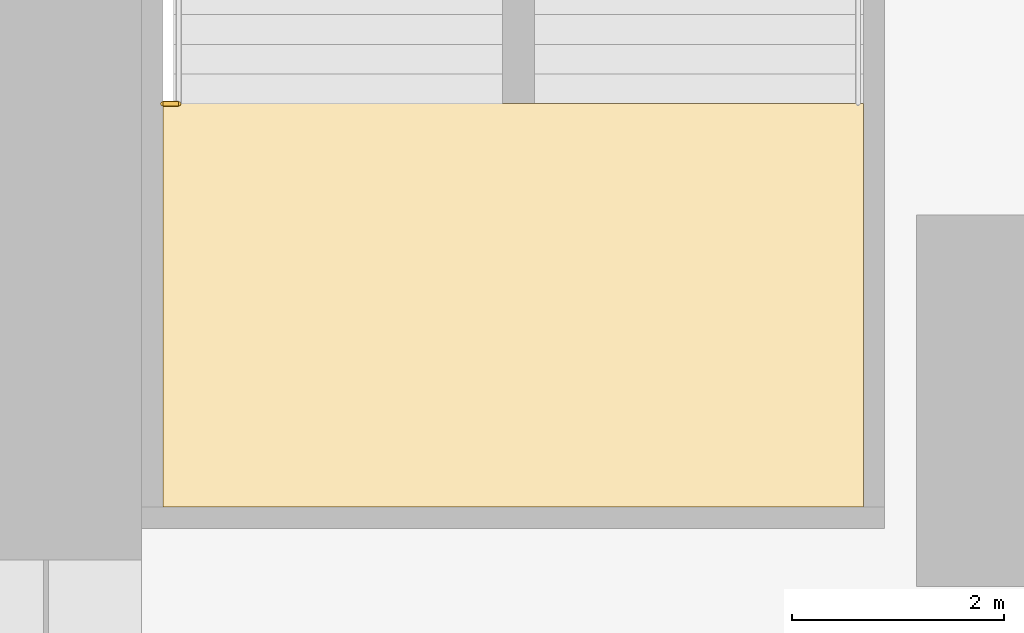
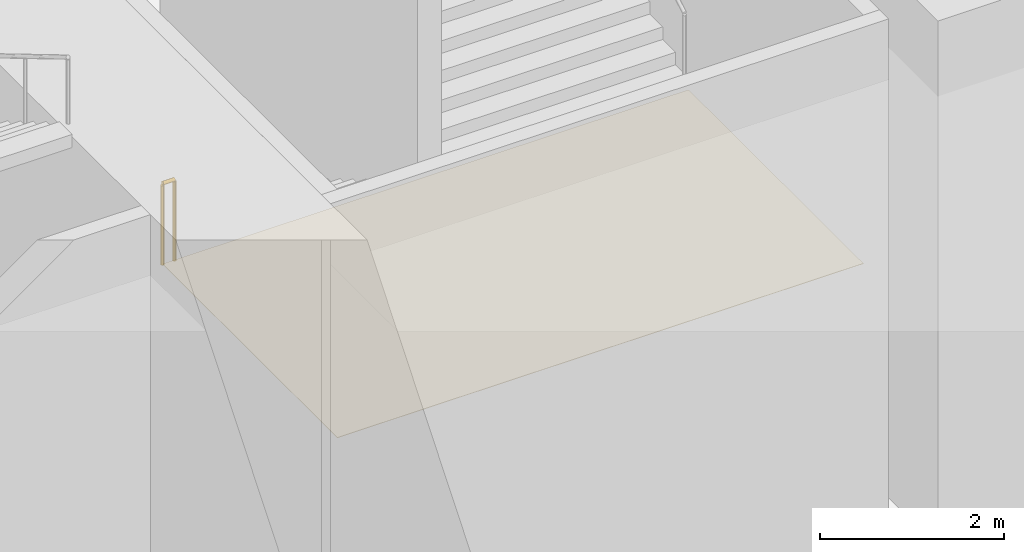
# One storey, part 29 of 30: 1 covering, 1 railing.
"""IFC4 building model written with IfcOpenShell, lengths in metres."""

from ifc_helpers import new_model, si_unit, direction, frame, origin, origin_2d, place, context, subcontext, project, spatial, polyline, circle, outline, extrude, material, layer, layer_set, type_object, element, save


model = new_model("IFC4")

# Units and contexts
model_context = context("Model", 3, precision=1e-05, world=origin(), true_north=direction((0.0, 1.0)))
body_context = subcontext(model_context, "Body", "Model", "MODEL_VIEW")
ifc_project = project(units=[si_unit("LENGTHUNIT", "METRE"), si_unit("AREAUNIT", "SQUARE_METRE"), si_unit("VOLUMEUNIT", "CUBIC_METRE"), si_unit("PLANEANGLEUNIT", "RADIAN"), si_unit("MASSUNIT", "GRAM", prefix="KILO")], contexts=[model_context])

# Site, building, storey
site_placement = place(None, origin())
site = spatial("IfcSite", under=ifc_project, at=site_placement, CompositionType="ELEMENT")
building_placement = place(site_placement, origin())
building = spatial("IfcBuilding", under=site, at=building_placement, Name="Svetlomir Tower", CompositionType="ELEMENT")
storey_placement = place(building_placement, frame((0.0, 0.0, 11.0)))
storey = spatial("IfcBuildingStorey", under=building, at=storey_placement, Name="L02", CompositionType="ELEMENT", Elevation=11.0)

# Covering
ifc_material_1 = material(Name="Studded rubber floor finish", Category="rubber")
ifc_layer = layer(ifc_material_1, 0.006103515625)
ifc_layer_set = layer_set([ifc_layer], Name="Studded rubber floor finish")
covering_type = type_object("IfcCoveringType", Name="RUBBER LANDING FINISH 6", PredefinedType="FLOORING", material=ifc_layer_set)
covering_placement = place(storey_placement, frame((0.0, 0.0, 3.5)))
element("IfcCovering", 1, at=covering_placement, inside=storey, type_object=covering_type, Name="Stair P2 landing finish L02", PredefinedType="FLOORING", context=body_context, shape_type="SweptSolid", body=[
    extrude(outline(polyline([(31.39990234375, 20.0), (38.0, 20.0), (38.0, 23.800048828125), (31.39990234375, 23.800048828125), (31.39990234375, 20.0)])), origin(), (0.0, 0.0, 1.0), 0.006103515625),
])

# Railing
ifc_material_2 = material(Name="Painted steel balustrade", Category="steel")
railing_type = type_object("IfcRailingType", Name="STAIR WELL GUARD GR3 1100", PredefinedType="GUARDRAIL", material=ifc_material_2)
railing_placement = place(storey_placement, frame((31.550048828125, 23.800048828125, 3.5)))
element("IfcRailing", 2, at=railing_placement, inside=storey, type_object=railing_type, Name="Stair P2 slot guard 1 L02", PredefinedType="GUARDRAIL", context=body_context, shape_type="SweptSolid", body=[
    extrude(circle(Radius=0.02392578125, at=origin_2d()), frame((0.0, 0.0, 1.076171875), z_axis=(-1.0, 0.0, 0.0), x_axis=(0.0, -1.0, 0.0)), (0.0, 0.0, 1.0), 0.150146484375),
    extrude(circle(Radius=0.02099609375, at=origin_2d()), origin(), (0.0, 0.0, 1.0), 1.052001953125),
    extrude(circle(Radius=0.02099609375, at=origin_2d()), frame((-0.150146484375, 0.0, 0.0)), (0.0, 0.0, 1.0), 1.052001953125),
])

save(model, "model.ifc")
